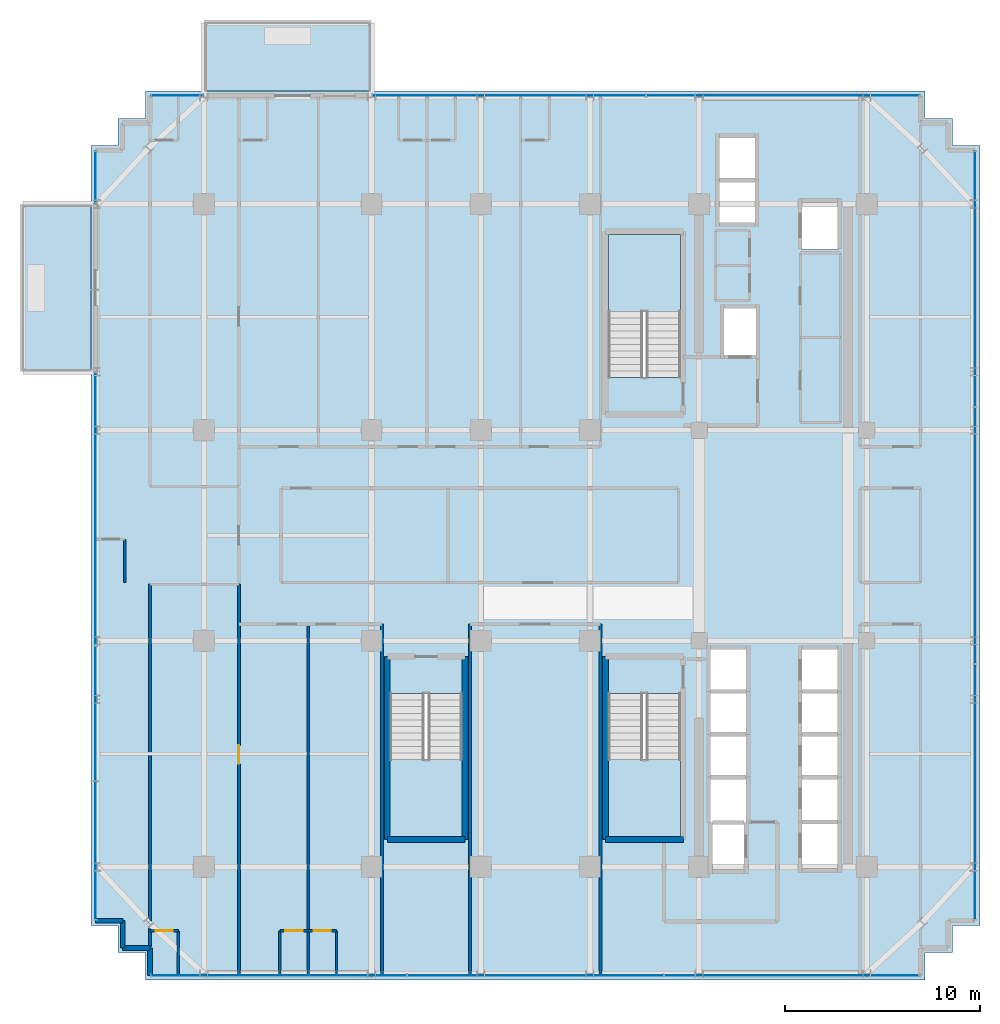
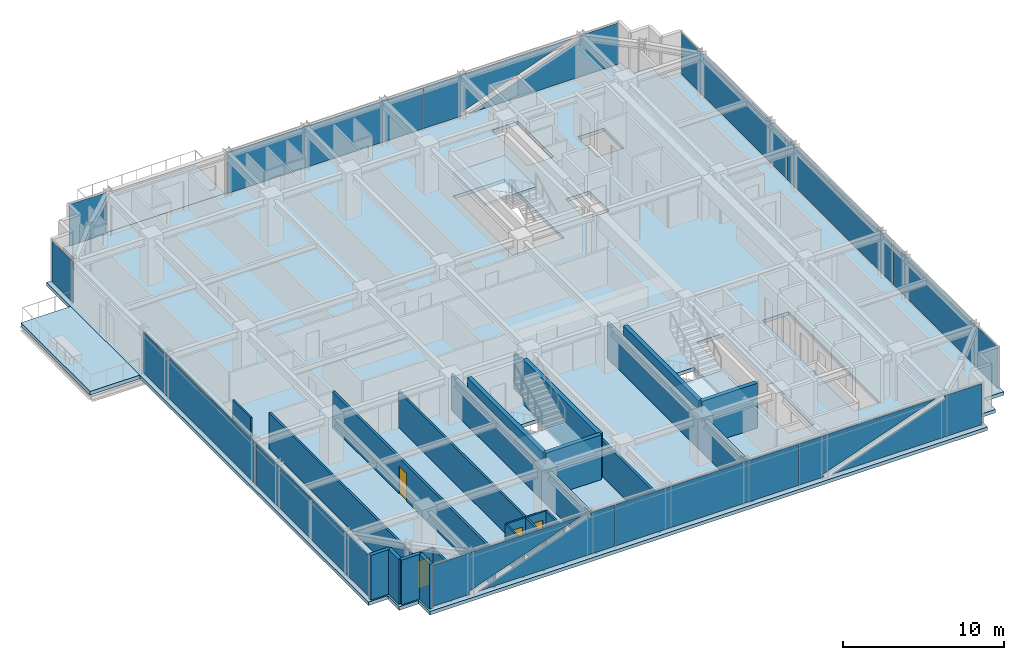
# One storey, part 25 of 32: 22 walls, 12 plates, 6 slabs, 4 doors, 4 openings, 9 elements without a shape of their own.
"""IFC4 building model written with IfcOpenShell, lengths in metres."""

from ifc_helpers import new_model, si_unit, direction, frame, frame_2d, origin, origin_2d, place, context, subcontext, project, spatial, polyline, rectangle, outline, extrude, source, transform, mapped, material, layer, layer_set, type_object, element, fill, aggregate, save


model = new_model("IFC4")

# Units and contexts
model_context = context("Model", 3, precision=1e-05, world=origin(), true_north=direction((0.0, 1.0)))
body_context = subcontext(model_context, "Body", "Model", "MODEL_VIEW")
ifc_project = project(units=[si_unit("LENGTHUNIT", "METRE"), si_unit("AREAUNIT", "SQUARE_METRE"), si_unit("VOLUMEUNIT", "CUBIC_METRE"), si_unit("PLANEANGLEUNIT", "RADIAN"), si_unit("MASSUNIT", "GRAM", prefix="KILO")], contexts=[model_context])

# Site, building, storey
site_placement = place(None, origin())
site = spatial("IfcSite", under=ifc_project, at=site_placement, CompositionType="ELEMENT")
building_placement = place(site_placement, origin())
building = spatial("IfcBuilding", under=site, at=building_placement, Name="Nahalor Promenade Grand Hotel", CompositionType="ELEMENT")
storey_placement = place(building_placement, frame((0.0, 0.0, 152.64990234375)))
storey = spatial("IfcBuildingStorey", under=building, at=storey_placement, Name="L38", CompositionType="ELEMENT", Elevation=152.64990234375)

# Curtain wall, plates
ifc_material_1 = material(Name="Anodised Bronze Aluminium EN AW-6063 T6", Category="aluminium")
curtain_wall_type = type_object("IfcCurtainWallType", Name="CW2 Typical Hotel Flush Bronze Unitised Curtain Wall", PredefinedType="USERDEFINED", material=ifc_material_1)
curtain_wall_1_placement = place(storey_placement, origin())
curtain_wall_1 = element("IfcCurtainWall", 1, at=curtain_wall_1_placement, inside=storey, type_object=curtain_wall_type, Name="L38 Curtain Wall CW-L38-S-1", ObjectType="UNITISED_CURTAIN_WALL", PredefinedType="USERDEFINED")
ifc_material_2 = material(Name="Low-E Laminated Solar Glass", Category="glass")
ifc_layer_1 = layer(ifc_material_2, 0.028076171875)
ifc_layer_set_1 = layer_set([ifc_layer_1], Name="Low-E Laminated Solar Glass")
plate_type = type_object("IfcPlateType", Name="CWP2 Bronze Low-E Vision IGU 28mm", PredefinedType="CURTAIN_PANEL", material=ifc_layer_set_1)
plate_1_placement = place(storey_placement, frame((-13.156982421875, -22.56005859375, 0.130126953125), z_axis=(0.0, 0.0, 1.0), x_axis=(1.0, 0.0, 0.0)))
plate_1 = element("IfcPlate", 2, at=plate_1_placement, type_object=plate_type, Name="CW-L38-S-1 Glazing Panel 0-0", PredefinedType="CURTAIN_PANEL", context=body_context, shape_type="SweptSolid", body=[
    extrude(outline(polyline([(-6.537841796875, 3.1298828125), (-6.537841796875, 0.0), (-3.8623046875, 0.0), (-3.942626953125, 0.223388671875), (4.147216796875, 3.1298828125), (-6.537841796875, 3.1298828125)])), frame((0.0, 0.01416015625, 0.0), z_axis=(0.0, -1.0, 0.0), x_axis=(1.0, 0.0, 0.0)), (0.0, 0.0, 1.0), 0.028076171875),
    extrude(outline(polyline([(6.537841796875, 0.0), (6.537841796875, 3.1298828125), (4.7763671875, 3.1298828125), (4.856689453125, 2.90673828125), (-3.233154296875, 0.0), (6.537841796875, 0.0)])), frame((0.0, 0.01416015625, 0.0), z_axis=(0.0, -1.0, 0.0), x_axis=(1.0, 0.0, 0.0)), (0.0, 0.0, 1.0), 0.028076171875),
])
plate_2_placement = place(storey_placement, frame((13.156982421875, -22.56005859375, 0.130126953125), z_axis=(0.0, 0.0, 1.0), x_axis=(1.0, 0.0, 0.0)))
plate_2 = element("IfcPlate", 3, at=plate_2_placement, type_object=plate_type, Name="CW-L38-S-1 Glazing Panel 2-0", PredefinedType="CURTAIN_PANEL", context=body_context, shape_type="SweptSolid", body=[
    extrude(outline(polyline([(-6.537841796875, 3.1298828125), (-6.537841796875, 0.0), (-4.7763671875, 0.0), (-4.856689453125, 0.223388671875), (3.233154296875, 3.1298828125), (-6.537841796875, 3.1298828125)])), frame((0.0, 0.01416015625, 0.0), z_axis=(0.0, -1.0, 0.0), x_axis=(1.0, 0.0, 0.0)), (0.0, 0.0, 1.0), 0.028076171875),
    extrude(outline(polyline([(6.537841796875, 0.0), (6.537841796875, 3.1298828125), (3.8623046875, 3.1298828125), (3.942626953125, 2.90673828125), (-4.147216796875, 0.0), (6.537841796875, 0.0)])), frame((0.0, 0.01416015625, 0.0), z_axis=(0.0, -1.0, 0.0), x_axis=(1.0, 0.0, 0.0)), (0.0, 0.0, 1.0), 0.028076171875),
])

# Curtain wall, plate
curtain_wall_2_placement = place(storey_placement, origin())
curtain_wall_2 = element("IfcCurtainWall", 4, at=curtain_wall_2_placement, inside=storey, type_object=curtain_wall_type, Name="L38 Curtain Wall CW-L38-N-3", ObjectType="UNITISED_CURTAIN_WALL", PredefinedType="USERDEFINED")
plate_3_placement = place(storey_placement, frame((12.703857421875, 22.56005859375, 0.130126953125), z_axis=(0.0, 0.0, 1.0), x_axis=(1.0, 0.0, 0.0)))
plate_3 = element("IfcPlate", 5, at=plate_3_placement, type_object=plate_type, Name="CW-L38-N-3 Glazing Panel 1-0", PredefinedType="CURTAIN_PANEL", context=body_context, shape_type="SweptSolid", body=[
    extrude(outline(polyline([(-6.9912109375, 3.1298828125), (-6.9912109375, 0.0), (-4.3232421875, 0.0), (-4.4033203125, 0.223388671875), (3.6865234375, 3.1298828125), (-6.9912109375, 3.1298828125)])), frame((0.0, 0.01416015625, 0.0), z_axis=(0.0, -1.0, 0.0), x_axis=(1.0, 0.0, 0.0)), (0.0, 0.0, 1.0), 0.028076171875),
    extrude(outline(polyline([(6.9912109375, 0.0), (6.9912109375, 3.1298828125), (4.315673828125, 3.1298828125), (4.395751953125, 2.90673828125), (-3.694091796875, 0.0), (6.9912109375, 0.0)])), frame((0.0, 0.01416015625, 0.0), z_axis=(0.0, -1.0, 0.0), x_axis=(1.0, 0.0, 0.0)), (0.0, 0.0, 1.0), 0.028076171875),
])

# Stair, slab
ifc_material_3 = material(Name="Concrete B-50 (C40/50)", Category="concrete")
stair_type_1 = type_object("IfcStairType", Name="Stair-ST1", PredefinedType="HALF_TURN_STAIR", material=ifc_material_3)
stair_1_placement = place(storey_placement, origin())
stair_1 = element("IfcStair", 6, at=stair_1_placement, inside=storey, type_object=stair_type_1, Name="L38 ST1", PredefinedType="HALF_TURN_STAIR")
ifc_layer_2 = layer(ifc_material_3, 0.199951171875)
ifc_layer_set_2 = layer_set([ifc_layer_2], Name="Concrete B-50 (C40/50)")
slab_type_1 = type_object("IfcSlabType", Name="Landing-ST1", PredefinedType="LANDING", material=ifc_layer_set_2)
slab_1_placement = place(storey_placement, frame((0.0, 0.0, 1.625)))
slab_1 = element("IfcSlab", 7, at=slab_1_placement, type_object=slab_type_1, Name="ST1 landing 1", PredefinedType="LANDING", context=body_context, shape_type="SweptSolid", body=[
    extrude(outline(polyline([(7.449951171875, 11.5), (7.449951171875, 15.449951171875), (3.75, 15.449951171875), (3.75, 11.5), (7.449951171875, 11.5)])), origin(), (0.0, 0.0, 1.0), 0.2001953125),
])
aggregate(stair_1, [slab_1])

stair_type_2 = type_object("IfcStairType", Name="Stair-ST2", PredefinedType="HALF_TURN_STAIR", material=ifc_material_3)
stair_2_placement = place(storey_placement, origin())
stair_2 = element("IfcStair", 8, at=stair_2_placement, inside=storey, type_object=stair_type_2, Name="L38 ST2", PredefinedType="HALF_TURN_STAIR")
ifc_layer_3 = layer(ifc_material_3, 0.2099609375)
ifc_layer_set_3 = layer_set([ifc_layer_3], Name="Concrete B-50 (C40/50)")
slab_type_2 = type_object("IfcSlabType", Name="Landing-ST2", PredefinedType="LANDING", material=ifc_layer_set_3)
slab_2_placement = place(storey_placement, frame((0.0, 0.0, 1.614990234375)))
slab_2 = element("IfcSlab", 9, at=slab_2_placement, type_object=slab_type_2, Name="ST2 landing 1", PredefinedType="LANDING", context=body_context, shape_type="SweptSolid", body=[
    extrude(outline(polyline([(3.75, -11.5), (3.75, -15.449951171875), (7.449951171875, -15.449951171875), (7.449951171875, -11.5), (3.75, -11.5)])), origin(), (0.0, 0.0, 1.0), 0.210205078125),
])
aggregate(stair_2, [slab_2])

stair_type_3 = type_object("IfcStairType", Name="Stair-ST3", PredefinedType="HALF_TURN_STAIR", material=ifc_material_3)
stair_3_placement = place(storey_placement, origin())
stair_3 = element("IfcStair", 10, at=stair_3_placement, inside=storey, type_object=stair_type_3, Name="L38 ST3", PredefinedType="HALF_TURN_STAIR")
ifc_layer_4 = layer(ifc_material_3, 0.219970703125)
ifc_layer_set_4 = layer_set([ifc_layer_4], Name="Concrete B-50 (C40/50)")
slab_type_3 = type_object("IfcSlabType", Name="Landing-ST3", PredefinedType="LANDING", material=ifc_layer_set_4)
slab_3_placement = place(storey_placement, frame((0.0, 0.0, 1.60498046875)))
slab_3 = element("IfcSlab", 11, at=slab_3_placement, type_object=slab_type_3, Name="ST3 landing 1", PredefinedType="LANDING", context=body_context, shape_type="SweptSolid", body=[
    extrude(outline(polyline([(-7.449951171875, -11.5), (-7.449951171875, -15.449951171875), (-3.75, -15.449951171875), (-3.75, -11.5), (-7.449951171875, -11.5)])), origin(), (0.0, 0.0, 1.0), 0.22021484375),
])
aggregate(stair_3, [slab_3])

# Slabs
ifc_layer_5 = layer(ifc_material_3, 0.280029296875)
ifc_layer_set_5 = layer_set([ifc_layer_5], Name="Concrete B-50 (C40/50)")
slab_type_4 = type_object("IfcSlabType", Name="Slab-Balcony-280", PredefinedType="FLOOR", material=ifc_layer_set_5)
slab_4_placement = place(storey_placement, frame((0.0, 0.0, -0.27978515625)))
element("IfcSlab", 12, at=slab_4_placement, inside=storey, type_object=slab_type_4, Name="L38 Cantilevered Planted Balcony 1", PredefinedType="FLOOR", context=body_context, shape_type="SweptSolid", body=[
    extrude(outline(polyline([(-17.0, 22.800048828125), (-8.39990234375, 22.800048828125), (-8.39990234375, 26.3701171875), (-17.0, 26.3701171875), (-17.0, 22.800048828125)])), origin(), (0.0, 0.0, 1.0), 0.27978515625),
])
slab_5_placement = place(storey_placement, frame((0.0, 0.0, -0.27978515625)))
element("IfcSlab", 13, at=slab_5_placement, inside=storey, type_object=slab_type_4, Name="L38 Cantilevered Planted Balcony 2", PredefinedType="FLOOR", context=body_context, shape_type="SweptSolid", body=[
    extrude(outline(polyline([(-26.360107421875, 8.39990234375), (-22.800048828125, 8.39990234375), (-22.800048828125, 17.0), (-26.360107421875, 17.0), (-26.360107421875, 8.39990234375)])), origin(), (0.0, 0.0, 1.0), 0.27978515625),
])
ifc_layer_6 = layer(ifc_material_3, 0.260009765625)
ifc_layer_set_6 = layer_set([ifc_layer_6], Name="Concrete B-50 (C40/50)")
slab_type_5 = type_object("IfcSlabType", Name="Slab-TowerZ3-260", PredefinedType="FLOOR", material=ifc_layer_set_6)
slab_6_placement = place(storey_placement, frame((0.0, 0.0, -0.260009765625)))
element("IfcSlab", 14, at=slab_6_placement, inside=storey, type_object=slab_type_5, Name="L38 Suspended Structural Floor Slab", PredefinedType="FLOOR", context=body_context, shape_type="SweptSolid", body=[
    extrude(outline(polyline([(-20.0, -22.800048828125), (20.0, -22.800048828125), (20.0, -21.39990234375), (21.39990234375, -21.39990234375), (21.39990234375, -20.0), (22.800048828125, -20.0), (22.800048828125, 20.0), (21.39990234375, 20.0), (21.39990234375, 21.39990234375), (20.0, 21.39990234375), (20.0, 22.800048828125), (-20.0, 22.800048828125), (-20.0, 21.39990234375), (-21.39990234375, 21.39990234375), (-21.39990234375, 20.0), (-22.800048828125, 20.0), (-22.800048828125, -20.0), (-21.39990234375, -20.0), (-21.39990234375, -21.39990234375), (-20.0, -21.39990234375), (-20.0, -22.800048828125)]), holes=[polyline([(3.75, 8.10009765625), (7.449951171875, 8.10009765625), (7.449951171875, 15.449951171875), (3.75, 15.449951171875), (3.75, 8.10009765625)]), polyline([(3.75, -15.449951171875), (7.449951171875, -15.449951171875), (7.449951171875, -8.10009765625), (3.75, -8.10009765625), (3.75, -15.449951171875)]), polyline([(-7.449951171875, -15.449951171875), (-3.75, -15.449951171875), (-3.75, -8.10009765625), (-7.449951171875, -8.10009765625), (-7.449951171875, -15.449951171875)]), polyline([(13.659912109375, -17.139892578125), (15.5400390625, -17.139892578125), (15.5400390625, -5.81005859375), (13.659912109375, -5.81005859375), (13.659912109375, -17.139892578125)]), polyline([(8.9599609375, -17.18994140625), (10.840087890625, -17.18994140625), (10.840087890625, -5.81005859375), (8.9599609375, -5.81005859375), (8.9599609375, -17.18994140625)]), polyline([(9.409912109375, 16.010009765625), (11.2900390625, 16.010009765625), (11.2900390625, 20.43994140625), (9.409912109375, 20.43994140625), (9.409912109375, 16.010009765625)]), polyline([(9.659912109375, 9.2099609375), (11.340087890625, 9.2099609375), (11.340087890625, 11.68994140625), (9.659912109375, 11.68994140625), (9.659912109375, 9.2099609375)]), polyline([(13.659912109375, 14.659912109375), (15.5400390625, 14.659912109375), (15.5400390625, 17.139892578125), (13.659912109375, 17.139892578125), (13.659912109375, 14.659912109375)])]), origin(), (0.0, 0.0, 1.0), 0.260009765625),
])

# Curtain wall, plate
curtain_wall_3_placement = place(storey_placement, origin())
curtain_wall_3 = element("IfcCurtainWall", 15, at=curtain_wall_3_placement, inside=storey, type_object=curtain_wall_type, Name="L38 Curtain Wall CW-L38-N-1", ObjectType="UNITISED_CURTAIN_WALL", PredefinedType="USERDEFINED")
shared_shape_1 = source(origin(), body_context, "Body", "SweptSolid", [
    extrude(rectangle(XDim=2.6298828125, YDim=0.028076171875, at=origin_2d()), origin(), (0.0, 0.0, 1.0), 3.1298828125),
])
plate_4_placement = place(storey_placement, frame((-18.3798828125, 22.56005859375, 0.130126953125), z_axis=(0.0, 0.0, 1.0), x_axis=(1.0, 0.0, 0.0)))
plate_4 = element("IfcPlate", 16, at=plate_4_placement, type_object=plate_type, Name="CW-L38-N-1 Glazing Panel 0-0", PredefinedType="CURTAIN_PANEL", context=body_context, shape_type="MappedRepresentation", body=[
    mapped(shared_shape_1, transform((0.0, 0.0, 0.0), scale=1.0)),
])
aggregate(curtain_wall_3, [plate_4])

curtain_wall_4_placement = place(storey_placement, origin())
curtain_wall_4 = element("IfcCurtainWall", 17, at=curtain_wall_4_placement, inside=storey, type_object=curtain_wall_type, Name="L38 Curtain Wall CW-L38-W-3", ObjectType="UNITISED_CURTAIN_WALL", PredefinedType="USERDEFINED")
plate_5_placement = place(storey_placement, frame((-22.56005859375, 18.3798828125, 0.130126953125), z_axis=(0.0, 0.0, 1.0), x_axis=(0.0, 1.0, 0.0)))
plate_5 = element("IfcPlate", 18, at=plate_5_placement, type_object=plate_type, Name="CW-L38-W-3 Glazing Panel 0-0", PredefinedType="CURTAIN_PANEL", context=body_context, shape_type="MappedRepresentation", body=[
    mapped(shared_shape_1, transform((0.0, 0.0, 0.0), scale=1.0)),
])
aggregate(curtain_wall_4, [plate_5])

# Plate
shared_shape_2 = source(origin(), body_context, "Body", "SweptSolid", [
    extrude(rectangle(XDim=13.982421875, YDim=0.028076171875, at=origin_2d()), origin(), (0.0, 0.0, 1.0), 3.1298828125),
])
plate_6_placement = place(storey_placement, frame((-1.34375, 22.56005859375, 0.130126953125), z_axis=(0.0, 0.0, 1.0), x_axis=(1.0, 0.0, 0.0)))
plate_6 = element("IfcPlate", 19, at=plate_6_placement, type_object=plate_type, Name="CW-L38-N-3 Glazing Panel 0-0", PredefinedType="CURTAIN_PANEL", context=body_context, shape_type="MappedRepresentation", body=[
    mapped(shared_shape_2, transform((0.0, 0.0, 0.0), scale=1.0)),
])

aggregate(curtain_wall_2, [plate_6, plate_3])

# Curtain wall, plates
curtain_wall_5_placement = place(storey_placement, origin())
curtain_wall_5 = element("IfcCurtainWall", 20, at=curtain_wall_5_placement, inside=storey, type_object=curtain_wall_type, Name="L38 Curtain Wall CW-L38-W-1", ObjectType="UNITISED_CURTAIN_WALL", PredefinedType="USERDEFINED")
plate_7_placement = place(storey_placement, frame((-22.56005859375, -12.703857421875, 0.130126953125), z_axis=(0.0, 0.0, 1.0), x_axis=(0.0, 1.0, 0.0)))
plate_7 = element("IfcPlate", 21, at=plate_7_placement, type_object=plate_type, Name="CW-L38-W-1 Glazing Panel 0-0", PredefinedType="CURTAIN_PANEL", context=body_context, shape_type="MappedRepresentation", body=[
    mapped(shared_shape_2, transform((0.0, 0.0, 0.0), scale=1.0)),
])
plate_8_placement = place(storey_placement, frame((-22.56005859375, 1.34375, 0.130126953125), z_axis=(0.0, 0.0, 1.0), x_axis=(0.0, 1.0, 0.0)))
plate_8 = element("IfcPlate", 22, at=plate_8_placement, type_object=plate_type, Name="CW-L38-W-1 Glazing Panel 1-0", PredefinedType="CURTAIN_PANEL", context=body_context, shape_type="MappedRepresentation", body=[
    mapped(shared_shape_2, transform((0.0, 0.0, 0.0), scale=1.0)),
])
aggregate(curtain_wall_5, [plate_7, plate_8])

curtain_wall_6_placement = place(storey_placement, origin())
curtain_wall_6 = element("IfcCurtainWall", 23, at=curtain_wall_6_placement, inside=storey, type_object=curtain_wall_type, Name="L38 Curtain Wall CW-L38-E-1", ObjectType="UNITISED_CURTAIN_WALL", PredefinedType="USERDEFINED")
shared_shape_3 = source(origin(), body_context, "Body", "SweptSolid", [
    extrude(rectangle(XDim=13.075927734375, YDim=0.028076171875, at=origin_2d()), origin(), (0.0, 0.0, 1.0), 3.1298828125),
])
plate_9_placement = place(storey_placement, frame((22.56005859375, -13.156982421875, 0.130126953125), z_axis=(0.0, 0.0, 1.0), x_axis=(0.0, 1.0, 0.0)))
plate_9 = element("IfcPlate", 24, at=plate_9_placement, type_object=plate_type, Name="CW-L38-E-1 Glazing Panel 0-0", PredefinedType="CURTAIN_PANEL", context=body_context, shape_type="MappedRepresentation", body=[
    mapped(shared_shape_3, transform((0.0, 0.0, 0.0), scale=1.0)),
])
plate_10_placement = place(storey_placement, frame((22.56005859375, 13.156982421875, 0.130126953125), z_axis=(0.0, 0.0, 1.0), x_axis=(0.0, 1.0, 0.0)))
plate_10 = element("IfcPlate", 25, at=plate_10_placement, type_object=plate_type, Name="CW-L38-E-1 Glazing Panel 2-0", PredefinedType="CURTAIN_PANEL", context=body_context, shape_type="MappedRepresentation", body=[
    mapped(shared_shape_3, transform((0.0, 0.0, 0.0), scale=1.0)),
])

# Plate
shared_shape_4 = source(origin(), body_context, "Body", "SweptSolid", [
    extrude(rectangle(XDim=13.1083984375, YDim=0.028076171875, at=origin_2d()), origin(), (0.0, 0.0, 1.0), 3.1298828125),
])
plate_11_placement = place(storey_placement, frame((0.0, -22.56005859375, 0.130126953125), z_axis=(0.0, 0.0, 1.0), x_axis=(1.0, 0.0, 0.0)))
plate_11 = element("IfcPlate", 26, at=plate_11_placement, type_object=plate_type, Name="CW-L38-S-1 Glazing Panel 1-0", PredefinedType="CURTAIN_PANEL", context=body_context, shape_type="MappedRepresentation", body=[
    mapped(shared_shape_4, transform((0.0, 0.0, 0.0), scale=1.0)),
])

aggregate(curtain_wall_1, [plate_1, plate_11, plate_2])

plate_12_placement = place(storey_placement, frame((22.56005859375, 0.0, 0.130126953125), z_axis=(0.0, 0.0, 1.0), x_axis=(0.0, 1.0, 0.0)))
plate_12 = element("IfcPlate", 27, at=plate_12_placement, type_object=plate_type, Name="CW-L38-E-1 Glazing Panel 1-0", PredefinedType="CURTAIN_PANEL", context=body_context, shape_type="MappedRepresentation", body=[
    mapped(shared_shape_4, transform((0.0, 0.0, 0.0), scale=1.0)),
])

aggregate(curtain_wall_6, [plate_9, plate_12, plate_10])

# Walls
ifc_layer_7 = layer(ifc_material_3, 0.300048828125)
ifc_layer_set_7 = layer_set([ifc_layer_7], Name="Concrete B-50 (C40/50)")
wall_type_1 = type_object("IfcWallType", Name="Wall-ShaftShear-300", PredefinedType="SHEAR", material=ifc_layer_set_7)
shared_shape_5 = source(origin(), body_context, "Body", "SweptSolid", [
    extrude(rectangle(XDim=3.97998046875, YDim=0.300048828125, at=frame_2d((1.989990234375, 0.0))), origin(), (0.0, 0.0, 1.0), 3.39013671875),
])
for number, where, z_axis, x_axis, name in (
    (28, (3.610107421875, -15.590087890625, 0.0), (0.0, 0.0, 1.0), (1.0, 0.0, 0.0), "L38 Exit Stair ST2 Shaft Wall S"),
    (29, (-7.590087890625, -15.590087890625, 0.0), (0.0, 0.0, 1.0), (1.0, 0.0, 0.0), "L38 Exit Stair ST3 Shaft Wall S"),
):
    element("IfcWall", number, at=place(storey_placement, frame(where, z_axis=z_axis, x_axis=x_axis)), inside=storey, type_object=wall_type_1, Name=name, PredefinedType="SHEAR", context=body_context, shape_type="MappedRepresentation", body=[
        mapped(shared_shape_5, transform((0.0, 0.0, 0.0), scale=1.0)),
    ])
shared_shape_6 = source(origin(), body_context, "Body", "SweptSolid", [
    extrude(rectangle(XDim=9.380126953125, YDim=0.300048828125, at=frame_2d((4.68994140625, 0.0))), origin(), (0.0, 0.0, 1.0), 3.39013671875),
])
for number, where, z_axis, x_axis, name in (
    (30, (3.610107421875, -15.590087890625, 0.0), (0.0, 0.0, 1.0), (0.0, 1.0, 0.0), "L38 Exit Stair ST2 Shaft Wall W"),
    (31, (-7.590087890625, -15.590087890625, 0.0), (0.0, 0.0, 1.0), (0.0, 1.0, 0.0), "L38 Exit Stair ST3 Shaft Wall W"),
    (32, (-3.610107421875, -15.590087890625, 0.0), (0.0, 0.0, 1.0), (0.0, 1.0, 0.0), "L38 Exit Stair ST3 Shaft Wall E"),
):
    element("IfcWall", number, at=place(storey_placement, frame(where, z_axis=z_axis, x_axis=x_axis)), inside=storey, type_object=wall_type_1, Name=name, PredefinedType="SHEAR", context=body_context, shape_type="MappedRepresentation", body=[
        mapped(shared_shape_6, transform((0.0, 0.0, 0.0), scale=1.0)),
    ])
ifc_material_4 = material(Name="Concrete B-40 (C32/40)", Category="concrete")
ifc_layer_8 = layer(ifc_material_4, 0.25)
ifc_layer_set_8 = layer_set([ifc_layer_8], Name="Concrete B-40 (C32/40)")
wall_type_2 = type_object("IfcWallType", Name="Wall-BronzePier-250", PredefinedType="STANDARD", material=ifc_layer_set_8)
shared_shape_7 = source(origin(), body_context, "Body", "SweptSolid", [
    extrude(rectangle(XDim=1.400146484375, YDim=0.25, at=frame_2d((0.7001953125, 0.0))), origin(), (0.0, 0.0, 1.0), 3.39013671875),
])
for number, where, z_axis, x_axis, name in (
    (33, (-22.56005859375, -19.760009765625, 0.0), (0.0, 0.0, 1.0), (1.0, 0.0, 0.0), "W-L38-SR-13"),
    (34, (-19.760009765625, -22.56005859375, 0.0), (0.0, 0.0, 1.0), (0.0, 1.0, 0.0), "W-L38-SR-16"),
):
    element("IfcWall", number, at=place(storey_placement, frame(where, z_axis=z_axis, x_axis=x_axis)), inside=storey, type_object=wall_type_2, Name=name, PredefinedType="STANDARD", context=body_context, shape_type="MappedRepresentation", body=[
        mapped(shared_shape_7, transform((0.0, 0.0, 0.0), scale=1.0)),
    ])
shared_shape_8 = source(origin(), body_context, "Body", "SweptSolid", [
    extrude(rectangle(XDim=1.39990234375, YDim=0.25, at=frame_2d((0.699951171875, 0.0))), origin(), (0.0, 0.0, 1.0), 3.39013671875),
])
for number, where, z_axis, x_axis, name in (
    (35, (-21.159912109375, -21.159912109375, 0.0), (0.0, 0.0, 1.0), (0.0, 1.0, 0.0), "W-L38-SR-14"),
    (36, (-21.159912109375, -21.159912109375, 0.0), (0.0, 0.0, 1.0), (1.0, 0.0, 0.0), "W-L38-SR-15"),
):
    element("IfcWall", number, at=place(storey_placement, frame(where, z_axis=z_axis, x_axis=x_axis)), inside=storey, type_object=wall_type_2, Name=name, PredefinedType="STANDARD", context=body_context, shape_type="MappedRepresentation", body=[
        mapped(shared_shape_8, transform((0.0, 0.0, 0.0), scale=1.0)),
    ])
ifc_material_5 = material(Name="Acoustic Mineral Gypsum", Category="gypsum")
ifc_layer_9 = layer(ifc_material_5, 0.159912109375)
ifc_layer_set_9 = layer_set([ifc_layer_9], Name="Acoustic Mineral Gypsum")
wall_type_3 = type_object("IfcWallType", Name="Wall-PartCorridor-160", PredefinedType="PARTITIONING", material=ifc_layer_set_9)
shared_shape_9 = source(origin(), body_context, "Body", "SweptSolid", [
    extrude(rectangle(XDim=17.949951171875, YDim=0.159912109375, at=frame_2d((8.97509765625, 0.0))), origin(), (0.0, 0.0, 1.0), 2.72998046875),
])
for number, where, z_axis, x_axis, name in (
    (37, (-3.340087890625, -22.5, 0.0), (0.0, 0.0, 1.0), (0.0, 1.0, 0.0), "W-L38-SCB-W"),
    (38, (3.340087890625, -22.5, 0.0), (0.0, 0.0, 1.0), (0.0, 1.0, 0.0), "W-L38-SCB-E"),
):
    element("IfcWall", number, at=place(storey_placement, frame(where, z_axis=z_axis, x_axis=x_axis)), inside=storey, type_object=wall_type_3, Name=name, PredefinedType="PARTITIONING", context=body_context, shape_type="MappedRepresentation", body=[
        mapped(shared_shape_9, transform((0.0, 0.0, 0.0), scale=1.0)),
    ])

# Wall, opening, door
shared_shape_10 = source(origin(), body_context, "Body", "SweptSolid", [
    extrude(rectangle(XDim=20.0, YDim=0.159912109375, at=frame_2d((10.0, 0.0))), origin(), (0.0, 0.0, 1.0), 2.72998046875),
])
wall_1_placement = place(storey_placement, frame((-15.199951171875, -22.5, 0.0), z_axis=(0.0, 0.0, 1.0), x_axis=(0.0, 1.0, 0.0)))
wall_1 = element("IfcWall", 39, at=wall_1_placement, inside=storey, type_object=wall_type_3, Name="W-L38-ZSW-E", PredefinedType="PARTITIONING", context=body_context, shape_type="MappedRepresentation", body=[
    mapped(shared_shape_10, transform((0.0, 0.0, 0.0), scale=1.0)),
])
opening_1_placement = place(wall_1_placement, frame((10.784912109375, 0.0, 0.0)))
opening_1 = element("IfcOpeningElement", 40, at=opening_1_placement, cuts=wall_1, Name="Opening D-01", PredefinedType="OPENING", context=body_context, shape_type="SweptSolid", body=[
    extrude(rectangle(XDim=0.949951171875, YDim=2.10009765625, at=frame_2d((0.47509765625, 1.050048828125))), frame((0.0, 0.08984375, 0.0), z_axis=(0.0, -1.0, 0.0), x_axis=(1.0, 0.0, 0.0)), (0.0, 0.0, 1.0), 0.179931640625),
])
ifc_material_6 = material(Name="Fire-Rated Timber Composite", Category="wood")
door_type_1 = type_object("IfcDoorType", Name="Door-GuestEntry-950", OperationType="NOTDEFINED", PredefinedType="DOOR", material=ifc_material_6)
shared_shape_11 = source(origin(), body_context, "Body", "SweptSolid", [
    extrude(rectangle(XDim=0.949951171875, YDim=2.10009765625, at=frame_2d((0.47509765625, 1.050048828125))), frame((0.0, 0.02490234375, 0.0), z_axis=(0.0, -1.0, 0.0), x_axis=(1.0, 0.0, 0.0)), (0.0, 0.0, 1.0), 0.050048828125),
])
door_1_placement = place(opening_1_placement, origin())
door_1 = element("IfcDoor", 41, at=door_1_placement, inside=storey, type_object=door_type_1, Name="DR-L38-SW0-ENT", OperationType="SINGLE_SWING_RIGHT", OverallHeight=2.10009765625, OverallWidth=0.949951171875, PredefinedType="DOOR", context=body_context, shape_type="MappedRepresentation", body=[
    mapped(shared_shape_11, transform((0.0, 0.0, 0.0), scale=1.0)),
])
fill(opening_1, door_1)

# Wall
ifc_layer_10 = layer(ifc_material_5, 0.139892578125)
ifc_layer_set_10 = layer_set([ifc_layer_10], Name="Acoustic Mineral Gypsum")
wall_type_4 = type_object("IfcWallType", Name="Wall-PartSuite-140", PredefinedType="PARTITIONING", material=ifc_layer_set_10)
shared_shape_12 = source(origin(), body_context, "Body", "SweptSolid", [
    extrude(rectangle(XDim=18.580078125, YDim=0.139892578125, at=frame_2d((9.2900390625, 0.0))), origin(), (0.0, 0.0, 1.0), 2.72998046875),
])
wall_2_placement = place(storey_placement, frame((-19.760009765625, -21.080078125, 0.0), z_axis=(0.0, 0.0, 1.0), x_axis=(0.0, 1.0, 0.0)))
element("IfcWall", 42, at=wall_2_placement, inside=storey, type_object=wall_type_4, Name="W-L38-ZSW-W", PredefinedType="PARTITIONING", context=body_context, shape_type="MappedRepresentation", body=[
    mapped(shared_shape_12, transform((0.0, 0.0, 0.0), scale=1.0)),
])

# Wall, opening, door
ifc_layer_11 = layer(ifc_material_5, 0.1201171875)
ifc_layer_set_11 = layer_set([ifc_layer_11], Name="Acoustic Mineral Gypsum")
wall_type_5 = type_object("IfcWallType", Name="Wall-PartBath-120", PredefinedType="PARTITIONING", material=ifc_layer_set_11)
shared_shape_13 = source(origin(), body_context, "Body", "SweptSolid", [
    extrude(rectangle(XDim=1.449951171875, YDim=0.1201171875, at=frame_2d((0.72509765625, 0.0))), origin(), (0.0, 0.0, 1.0), 2.72998046875),
])
wall_3_placement = place(storey_placement, frame((-19.760009765625, -20.280029296875, 0.0), z_axis=(0.0, 0.0, 1.0), x_axis=(1.0, 0.0, 0.0)))
wall_3 = element("IfcWall", 43, at=wall_3_placement, inside=storey, type_object=wall_type_5, Name="W-L38-SW0-BH", PredefinedType="PARTITIONING", context=body_context, shape_type="MappedRepresentation", body=[
    mapped(shared_shape_13, transform((0.0, 0.0, 0.0), scale=1.0)),
])
opening_2_placement = place(wall_3_placement, frame((0.284912109375, 0.0, 0.0)))
opening_2 = element("IfcOpeningElement", 44, at=opening_2_placement, cuts=wall_3, Name="Opening D-03", PredefinedType="OPENING", context=body_context, shape_type="SweptSolid", body=[
    extrude(rectangle(XDim=0.8798828125, YDim=2.10009765625, at=frame_2d((0.43994140625, 1.050048828125))), frame((0.0, 0.070068359375, 0.0), z_axis=(0.0, -1.0, 0.0), x_axis=(1.0, 0.0, 0.0)), (0.0, 0.0, 1.0), 0.14013671875),
])
door_type_2 = type_object("IfcDoorType", Name="Door-BathSwing-880", OperationType="NOTDEFINED", PredefinedType="DOOR", material=ifc_material_6)
shared_shape_14 = source(origin(), body_context, "Body", "SweptSolid", [
    extrude(rectangle(XDim=0.8798828125, YDim=2.10009765625, at=frame_2d((0.43994140625, 1.050048828125))), frame((0.0, 0.02490234375, 0.0), z_axis=(0.0, -1.0, 0.0), x_axis=(1.0, 0.0, 0.0)), (0.0, 0.0, 1.0), 0.050048828125),
])
door_2_placement = place(opening_2_placement, frame((0.8798828125, 0.0, 0.0), z_axis=(0.0, 0.0, 1.0), x_axis=(-1.0, 0.0, 0.0)))
door_2 = element("IfcDoor", 45, at=door_2_placement, inside=storey, type_object=door_type_2, Name="DR-L38-SW0-BATH", OperationType="SINGLE_SWING_LEFT", OverallHeight=2.10009765625, OverallWidth=0.8798828125, PredefinedType="DOOR", context=body_context, shape_type="MappedRepresentation", body=[
    mapped(shared_shape_14, transform((0.0, 0.0, 0.0), scale=1.0)),
])
fill(opening_2, door_2)

wall_4_placement = place(storey_placement, frame((-11.64990234375, -20.280029296875, 0.0), z_axis=(0.0, 0.0, 1.0), x_axis=(1.0, 0.0, 0.0)))
wall_4 = element("IfcWall", 46, at=wall_4_placement, inside=storey, type_object=wall_type_5, Name="W-L38-S2-BH", PredefinedType="PARTITIONING", context=body_context, shape_type="MappedRepresentation", body=[
    mapped(shared_shape_13, transform((0.0, 0.0, 0.0), scale=1.0)),
])
opening_3_placement = place(wall_4_placement, frame((0.284912109375, 0.0, 0.0)))
opening_3 = element("IfcOpeningElement", 47, at=opening_3_placement, cuts=wall_4, Name="Opening D-03", PredefinedType="OPENING", context=body_context, shape_type="SweptSolid", body=[
    extrude(rectangle(XDim=0.8798828125, YDim=2.10009765625, at=frame_2d((0.43994140625, 1.050048828125))), frame((0.0, 0.070068359375, 0.0), z_axis=(0.0, -1.0, 0.0), x_axis=(1.0, 0.0, 0.0)), (0.0, 0.0, 1.0), 0.14013671875),
])
door_3_placement = place(opening_3_placement, frame((0.8798828125, 0.0, 0.0), z_axis=(0.0, 0.0, 1.0), x_axis=(-1.0, 0.0, 0.0)))
door_3 = element("IfcDoor", 48, at=door_3_placement, inside=storey, type_object=door_type_2, Name="DR-L38-S2-BATH", OperationType="SINGLE_SWING_LEFT", OverallHeight=2.10009765625, OverallWidth=0.8798828125, PredefinedType="DOOR", context=body_context, shape_type="MappedRepresentation", body=[
    mapped(shared_shape_14, transform((0.0, 0.0, 0.0), scale=1.0)),
])
fill(opening_3, door_3)

# Walls
shared_shape_15 = source(origin(), body_context, "Body", "SweptSolid", [
    extrude(rectangle(XDim=2.219970703125, YDim=0.1201171875, at=frame_2d((1.10986328125, 0.0))), origin(), (0.0, 0.0, 1.0), 2.72998046875),
])
for number, where, z_axis, x_axis, name in (
    (49, (-18.31005859375, -22.5, 0.0), (0.0, 0.0, 1.0), (0.0, 1.0, 0.0), "W-L38-SW0-BV"),
    (50, (-13.10009765625, -22.5, 0.0), (0.0, 0.0, 1.0), (0.0, 1.0, 0.0), "W-L38-S1-BV"),
    (51, (-10.199951171875, -22.5, 0.0), (0.0, 0.0, 1.0), (0.0, 1.0, 0.0), "W-L38-S2-BV"),
    (52, (-21.050048828125, -2.419921875, 0.0), (0.0, 0.0, 1.0), (0.0, 1.0, 0.0), "W-L38-W1-BV"),
):
    element("IfcWall", number, at=place(storey_placement, frame(where, z_axis=z_axis, x_axis=x_axis)), inside=storey, type_object=wall_type_5, Name=name, PredefinedType="PARTITIONING", context=body_context, shape_type="MappedRepresentation", body=[
        mapped(shared_shape_15, transform((0.0, 0.0, 0.0), scale=1.0)),
    ])
shared_shape_16 = source(origin(), body_context, "Body", "SweptSolid", [
    extrude(rectangle(XDim=17.949951171875, YDim=0.139892578125, at=frame_2d((8.97509765625, 0.0))), origin(), (0.0, 0.0, 1.0), 2.72998046875),
])
for number, where, z_axis, x_axis, name in (
    (53, (-7.860107421875, -22.5, 0.0), (0.0, 0.0, 1.0), (0.0, 1.0, 0.0), "W-L38-SW-ENDE"),
    (54, (-11.64990234375, -22.5, 0.0), (0.0, 0.0, 1.0), (0.0, 1.0, 0.0), "W-L38-SP-1"),
):
    element("IfcWall", number, at=place(storey_placement, frame(where, z_axis=z_axis, x_axis=x_axis)), inside=storey, type_object=wall_type_4, Name=name, PredefinedType="PARTITIONING", context=body_context, shape_type="MappedRepresentation", body=[
        mapped(shared_shape_16, transform((0.0, 0.0, 0.0), scale=1.0)),
    ])

# Wall, opening, door
shared_shape_17 = source(origin(), body_context, "Body", "SweptSolid", [
    extrude(rectangle(XDim=1.4501953125, YDim=0.1201171875, at=frame_2d((0.72509765625, 0.0))), origin(), (0.0, 0.0, 1.0), 2.72998046875),
])
wall_5_placement = place(storey_placement, frame((-13.10009765625, -20.280029296875, 0.0), z_axis=(0.0, 0.0, 1.0), x_axis=(1.0, 0.0, 0.0)))
wall_5 = element("IfcWall", 55, at=wall_5_placement, inside=storey, type_object=wall_type_5, Name="W-L38-S1-BH", PredefinedType="PARTITIONING", context=body_context, shape_type="MappedRepresentation", body=[
    mapped(shared_shape_17, transform((0.0, 0.0, 0.0), scale=1.0)),
])
opening_4_placement = place(wall_5_placement, frame((0.284912109375, 0.0, 0.0)))
opening_4 = element("IfcOpeningElement", 56, at=opening_4_placement, cuts=wall_5, Name="Opening D-03", PredefinedType="OPENING", context=body_context, shape_type="SweptSolid", body=[
    extrude(rectangle(XDim=0.8798828125, YDim=2.10009765625, at=frame_2d((0.43994140625, 1.050048828125))), frame((0.0, 0.070068359375, 0.0), z_axis=(0.0, -1.0, 0.0), x_axis=(1.0, 0.0, 0.0)), (0.0, 0.0, 1.0), 0.14013671875),
])
door_4_placement = place(opening_4_placement, frame((0.8798828125, 0.0, 0.0), z_axis=(0.0, 0.0, 1.0), x_axis=(-1.0, 0.0, 0.0)))
door_4 = element("IfcDoor", 57, at=door_4_placement, inside=storey, type_object=door_type_2, Name="DR-L38-S1-BATH", OperationType="SINGLE_SWING_LEFT", OverallHeight=2.10009765625, OverallWidth=0.8798828125, PredefinedType="DOOR", context=body_context, shape_type="MappedRepresentation", body=[
    mapped(shared_shape_14, transform((0.0, 0.0, 0.0), scale=1.0)),
])
fill(opening_4, door_4)

save(model, "model.ifc")
